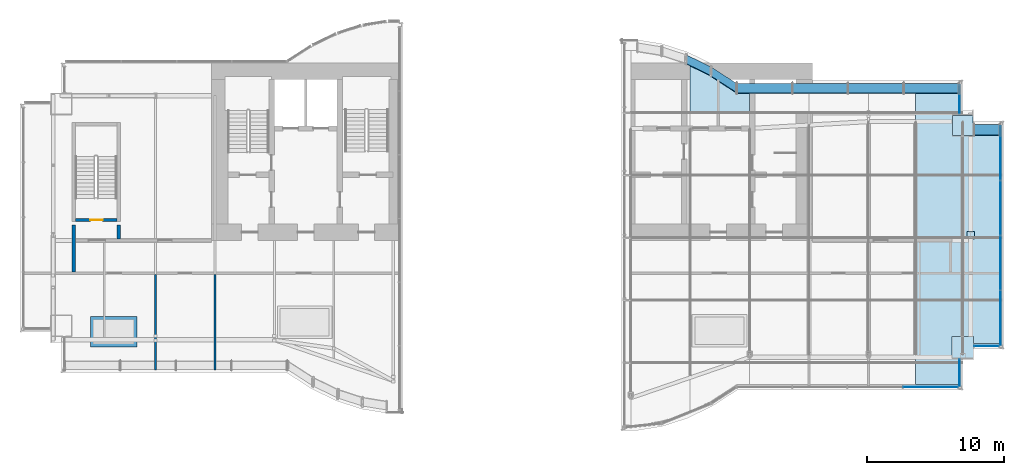
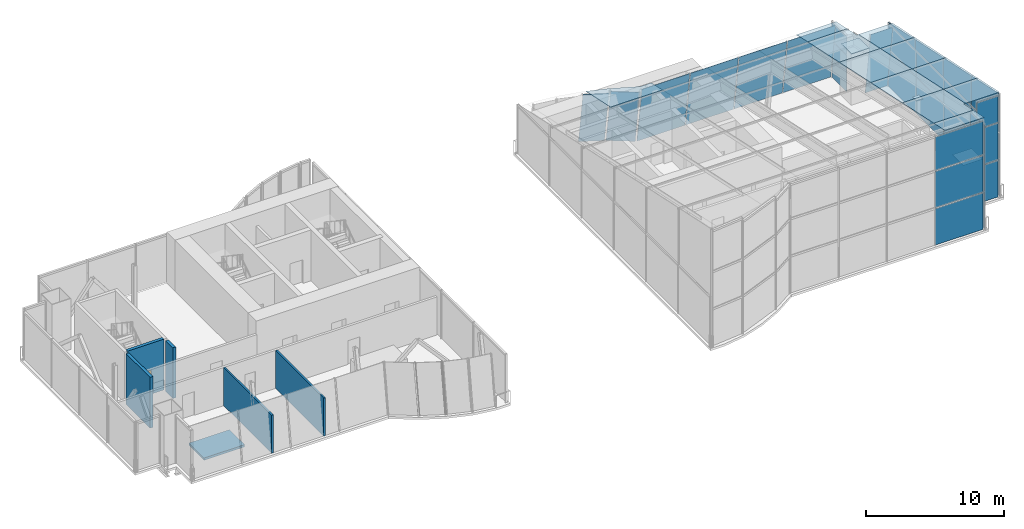
# One storey, part 12 of 17: 44 plates, 6 walls, 1 door, 1 opening, 14 elements without a shape of their own.
"""IFC4 building model written with IfcOpenShell, lengths in metres."""

from ifc_helpers import new_model, si_unit, direction, frame, frame_2d, origin, origin_2d, place, context, subcontext, project, spatial, polyline, rectangle, outline, extrude, material, layer, layer_set, type_object, element, fill, aggregate, save


model = new_model("IFC4")

# Units and contexts
model_context = context("Model", 3, precision=1e-05, world=origin(), true_north=direction((0.0, 1.0)))
body_context = subcontext(model_context, "Body", "Model", "MODEL_VIEW")
ifc_project = project(units=[si_unit("LENGTHUNIT", "METRE"), si_unit("AREAUNIT", "SQUARE_METRE"), si_unit("VOLUMEUNIT", "CUBIC_METRE"), si_unit("PLANEANGLEUNIT", "RADIAN"), si_unit("MASSUNIT", "GRAM", prefix="KILO")], contexts=[model_context])

# Site, building, storey
site_placement = place(None, origin())
site = spatial("IfcSite", under=ifc_project, at=site_placement, CompositionType="ELEMENT")
building_placement = place(site_placement, origin())
building = spatial("IfcBuilding", under=site, at=building_placement, Name="Bicima Exchange Tower", CompositionType="ELEMENT")
storey_placement = place(building_placement, frame((0.0, 0.0, 356.89990234375)))
storey = spatial("IfcBuildingStorey", under=building, at=storey_placement, Name="L80", CompositionType="ELEMENT", Elevation=356.89990234375)

# Plate
ifc_material_1 = material(Name="Steel ASTM A572 Gr 50", Category="steel")
ifc_layer_1 = layer(ifc_material_1, 0.050048828125)
ifc_layer_set_1 = layer_set([ifc_layer_1], Name="Steel ASTM A572 Gr 50")
plate_type_1 = type_object("IfcPlateType", Name="Column head plate 50", PredefinedType="SHEET", material=ifc_layer_set_1)
plate_1_placement = place(storey_placement, frame((33.60009765625, -12.60009765625, 4.5), z_axis=(0.0, 0.0, 1.0), x_axis=(1.0, 0.0, 0.0)))
element("IfcPlate", 1, at=plate_1_placement, inside=storey, type_object=plate_type_1, Name="Column head plate end+33.6e", PredefinedType="SHEET", context=body_context, shape_type="SweptSolid", body=[
    extrude(rectangle(XDim=0.552978515625, YDim=0.552978515625, at=origin_2d()), origin(), (0.0, 0.0, 1.0), 0.050048828125),
])

# Curtain wall, plates
ifc_material_2 = material(Name="Anodised bronze aluminium", Category="aluminium")
curtain_wall_type = type_object("IfcCurtainWallType", Name="Crown glass wall", PredefinedType="NOTDEFINED", material=ifc_material_2)
curtain_wall_1_placement = place(storey_placement, origin())
curtain_wall_1 = element("IfcCurtainWall", 2, at=curtain_wall_1_placement, inside=storey, type_object=curtain_wall_type, Name="Crown glass wall L80 run 1", PredefinedType="NOTDEFINED")
ifc_material_3 = material(Name="Bronze tinted glass", Category="glass")
ifc_layer_2 = layer(ifc_material_3, 0.035888671875)
ifc_layer_set_2 = layer_set([ifc_layer_2], Name="Bronze tinted glass")
plate_type_2 = type_object("IfcPlateType", Name="Crown glass wall glass panel 36", PredefinedType="CURTAIN_PANEL", material=ifc_layer_set_2)
plate_2_placement = place(storey_placement, frame((32.77001953125, -2.68310546875, 0.0), z_axis=(0.0, 0.0, 1.0), x_axis=(0.0, 1.0, 0.0)))
plate_2 = element("IfcPlate", 3, at=plate_2_placement, type_object=plate_type_2, Name="Crown glass wall panel 1.1", PredefinedType="CURTAIN_PANEL", context=body_context, shape_type="SweptSolid", body=[
    extrude(rectangle(XDim=2.076171875, YDim=0.035888671875, at=origin_2d()), origin(), (0.0, 0.0, 1.0), 3.219970703125),
])
plate_3_placement = place(storey_placement, frame((32.77001953125, -2.68310546875, 3.30029296875), z_axis=(0.0, 0.0, 1.0), x_axis=(0.0, 1.0, 0.0)))
plate_3 = element("IfcPlate", 4, at=plate_3_placement, type_object=plate_type_2, Name="Crown glass wall panel 1.2", PredefinedType="CURTAIN_PANEL", context=body_context, shape_type="SweptSolid", body=[
    extrude(rectangle(XDim=2.076171875, YDim=0.035888671875, at=origin_2d()), origin(), (0.0, 0.0, 1.0), 1.558349609375),
])
aggregate(curtain_wall_1, [plate_2, plate_3])

curtain_wall_2_placement = place(storey_placement, origin())
curtain_wall_2 = element("IfcCurtainWall", 5, at=curtain_wall_2_placement, inside=storey, type_object=curtain_wall_type, Name="Crown glass wall L80 run 12", PredefinedType="NOTDEFINED")
plate_4_placement = place(storey_placement, frame((30.62646484375, -23.714111328125, 0.0), z_axis=(0.0, 0.0, 1.0), x_axis=(1.0, 0.0, 0.0)))
plate_4 = element("IfcPlate", 6, at=plate_4_placement, type_object=plate_type_2, Name="Crown glass wall panel 4.1", PredefinedType="CURTAIN_PANEL", context=body_context, shape_type="SweptSolid", body=[
    extrude(rectangle(XDim=3.987060546875, YDim=0.035888671875, at=origin_2d()), origin(), (0.0, 0.0, 1.0), 3.219970703125),
])
plate_5_placement = place(storey_placement, frame((30.62646484375, -23.714111328125, 3.30029296875), z_axis=(0.0, 0.0, 1.0), x_axis=(1.0, 0.0, 0.0)))
plate_5 = element("IfcPlate", 7, at=plate_5_placement, type_object=plate_type_2, Name="Crown glass wall panel 4.2", PredefinedType="CURTAIN_PANEL", context=body_context, shape_type="SweptSolid", body=[
    extrude(rectangle(XDim=3.987060546875, YDim=0.035888671875, at=origin_2d()), origin(), (0.0, 0.0, 1.0), 3.219970703125),
])
plate_6_placement = place(storey_placement, frame((30.62646484375, -23.714111328125, 6.60009765625), z_axis=(0.0, 0.0, 1.0), x_axis=(1.0, 0.0, 0.0)))
plate_6 = element("IfcPlate", 8, at=plate_6_placement, type_object=plate_type_2, Name="Crown glass wall panel 4.3", PredefinedType="CURTAIN_PANEL", context=body_context, shape_type="SweptSolid", body=[
    extrude(rectangle(XDim=3.987060546875, YDim=0.035888671875, at=origin_2d()), origin(), (0.0, 0.0, 1.0), 2.962158203125),
])
aggregate(curtain_wall_2, [plate_4, plate_5, plate_6])

curtain_wall_3_placement = place(storey_placement, origin())
curtain_wall_3 = element("IfcCurtainWall", 9, at=curtain_wall_3_placement, inside=storey, type_object=curtain_wall_type, Name="Crown glass wall L80 run 13", PredefinedType="NOTDEFINED")
plate_7_placement = place(storey_placement, frame((32.77001953125, -22.66796875, 0.0), z_axis=(0.0, 0.0, 1.0), x_axis=(0.0, 1.0, 0.0)))
plate_7 = element("IfcPlate", 10, at=plate_7_placement, type_object=plate_type_2, Name="Crown glass wall panel 1.1", PredefinedType="CURTAIN_PANEL", context=body_context, shape_type="SweptSolid", body=[
    extrude(rectangle(XDim=1.971923828125, YDim=0.035888671875, at=origin_2d()), origin(), (0.0, 0.0, 1.0), 3.219970703125),
])
plate_8_placement = place(storey_placement, frame((32.77001953125, -22.66796875, 3.30029296875), z_axis=(0.0, 0.0, 1.0), x_axis=(0.0, 1.0, 0.0)))
plate_8 = element("IfcPlate", 11, at=plate_8_placement, type_object=plate_type_2, Name="Crown glass wall panel 1.2", PredefinedType="CURTAIN_PANEL", context=body_context, shape_type="SweptSolid", body=[
    extrude(rectangle(XDim=1.971923828125, YDim=0.035888671875, at=origin_2d()), origin(), (0.0, 0.0, 1.0), 3.219970703125),
])
plate_9_placement = place(storey_placement, frame((32.77001953125, -22.66796875, 6.60009765625), z_axis=(0.0, 0.0, 1.0), x_axis=(0.0, 1.0, 0.0)))
plate_9 = element("IfcPlate", 12, at=plate_9_placement, type_object=plate_type_2, Name="Crown glass wall panel 1.3", PredefinedType="CURTAIN_PANEL", context=body_context, shape_type="SweptSolid", body=[
    extrude(rectangle(XDim=1.971923828125, YDim=0.035888671875, at=origin_2d()), origin(), (0.0, 0.0, 1.0), 2.517333984375),
])
aggregate(curtain_wall_3, [plate_7, plate_8, plate_9])

curtain_wall_4_placement = place(storey_placement, origin())
curtain_wall_4 = element("IfcCurtainWall", 13, at=curtain_wall_4_placement, inside=storey, type_object=curtain_wall_type, Name="Crown glass wall L80 run 14", PredefinedType="NOTDEFINED")
plate_10_placement = place(storey_placement, frame((34.739990234375, -20.714111328125, 0.0), z_axis=(0.0, 0.0, 1.0), x_axis=(1.0, 0.0, 0.0)))
plate_10 = element("IfcPlate", 14, at=plate_10_placement, type_object=plate_type_2, Name="Crown glass wall panel 1.1", PredefinedType="CURTAIN_PANEL", context=body_context, shape_type="SweptSolid", body=[
    extrude(rectangle(XDim=1.760009765625, YDim=0.035888671875, at=origin_2d()), origin(), (0.0, 0.0, 1.0), 3.219970703125),
])
plate_11_placement = place(storey_placement, frame((34.739990234375, -20.714111328125, 3.30029296875), z_axis=(0.0, 0.0, 1.0), x_axis=(1.0, 0.0, 0.0)))
plate_11 = element("IfcPlate", 15, at=plate_11_placement, type_object=plate_type_2, Name="Crown glass wall panel 1.2", PredefinedType="CURTAIN_PANEL", context=body_context, shape_type="SweptSolid", body=[
    extrude(rectangle(XDim=1.760009765625, YDim=0.035888671875, at=origin_2d()), origin(), (0.0, 0.0, 1.0), 3.219970703125),
])
plate_12_placement = place(storey_placement, frame((34.739990234375, -20.714111328125, 6.60009765625), z_axis=(0.0, 0.0, 1.0), x_axis=(1.0, 0.0, 0.0)))
plate_12 = element("IfcPlate", 16, at=plate_12_placement, type_object=plate_type_2, Name="Crown glass wall panel 1.3", PredefinedType="CURTAIN_PANEL", context=body_context, shape_type="SweptSolid", body=[
    extrude(rectangle(XDim=1.760009765625, YDim=0.035888671875, at=origin_2d()), origin(), (0.0, 0.0, 1.0), 2.324462890625),
])
aggregate(curtain_wall_4, [plate_10, plate_11, plate_12])

curtain_wall_5_placement = place(storey_placement, origin())
curtain_wall_5 = element("IfcCurtainWall", 17, at=curtain_wall_5_placement, inside=storey, type_object=curtain_wall_type, Name="Crown glass wall L80 run 15", PredefinedType="NOTDEFINED")
plate_13_placement = place(storey_placement, frame((35.77001953125, -18.67529296875, 0.0), z_axis=(0.0, 0.0, 1.0), x_axis=(0.0, 1.0, 0.0)))
plate_13 = element("IfcPlate", 18, at=plate_13_placement, type_object=plate_type_2, Name="Crown glass wall panel 1.1", PredefinedType="CURTAIN_PANEL", context=body_context, shape_type="SweptSolid", body=[
    extrude(rectangle(XDim=3.957275390625, YDim=0.035888671875, at=origin_2d()), origin(), (0.0, 0.0, 1.0), 3.219970703125),
])
plate_14_placement = place(storey_placement, frame((35.77001953125, -18.67529296875, 3.30029296875), z_axis=(0.0, 0.0, 1.0), x_axis=(0.0, 1.0, 0.0)))
plate_14 = element("IfcPlate", 19, at=plate_14_placement, type_object=plate_type_2, Name="Crown glass wall panel 1.2", PredefinedType="CURTAIN_PANEL", context=body_context, shape_type="SweptSolid", body=[
    extrude(rectangle(XDim=3.957275390625, YDim=0.035888671875, at=origin_2d()), origin(), (0.0, 0.0, 1.0), 2.196044921875),
])
plate_15_placement = place(storey_placement, frame((35.77001953125, -14.658203125, 0.0), z_axis=(0.0, 0.0, 1.0), x_axis=(0.0, 1.0, 0.0)))
plate_15 = element("IfcPlate", 20, at=plate_15_placement, type_object=plate_type_2, Name="Crown glass wall panel 2.1", PredefinedType="CURTAIN_PANEL", context=body_context, shape_type="SweptSolid", body=[
    extrude(rectangle(XDim=3.957275390625, YDim=0.035888671875, at=origin_2d()), origin(), (0.0, 0.0, 1.0), 3.219970703125),
])
plate_16_placement = place(storey_placement, frame((35.77001953125, -14.658203125, 3.30029296875), z_axis=(0.0, 0.0, 1.0), x_axis=(0.0, 1.0, 0.0)))
plate_16 = element("IfcPlate", 21, at=plate_16_placement, type_object=plate_type_2, Name="Crown glass wall panel 2.2", PredefinedType="CURTAIN_PANEL", context=body_context, shape_type="SweptSolid", body=[
    extrude(rectangle(XDim=3.957275390625, YDim=0.035888671875, at=origin_2d()), origin(), (0.0, 0.0, 1.0), 2.196044921875),
])
plate_17_placement = place(storey_placement, frame((35.77001953125, -10.640869140625, 0.0), z_axis=(0.0, 0.0, 1.0), x_axis=(0.0, 1.0, 0.0)))
plate_17 = element("IfcPlate", 22, at=plate_17_placement, type_object=plate_type_2, Name="Crown glass wall panel 3.1", PredefinedType="CURTAIN_PANEL", context=body_context, shape_type="SweptSolid", body=[
    extrude(rectangle(XDim=3.957275390625, YDim=0.035888671875, at=origin_2d()), origin(), (0.0, 0.0, 1.0), 3.219970703125),
])
plate_18_placement = place(storey_placement, frame((35.77001953125, -10.640869140625, 3.30029296875), z_axis=(0.0, 0.0, 1.0), x_axis=(0.0, 1.0, 0.0)))
plate_18 = element("IfcPlate", 23, at=plate_18_placement, type_object=plate_type_2, Name="Crown glass wall panel 3.2", PredefinedType="CURTAIN_PANEL", context=body_context, shape_type="SweptSolid", body=[
    extrude(rectangle(XDim=3.957275390625, YDim=0.035888671875, at=origin_2d()), origin(), (0.0, 0.0, 1.0), 2.196044921875),
])
plate_19_placement = place(storey_placement, frame((35.77001953125, -6.62353515625, 0.0), z_axis=(0.0, 0.0, 1.0), x_axis=(0.0, 1.0, 0.0)))
plate_19 = element("IfcPlate", 24, at=plate_19_placement, type_object=plate_type_2, Name="Crown glass wall panel 4.1", PredefinedType="CURTAIN_PANEL", context=body_context, shape_type="SweptSolid", body=[
    extrude(rectangle(XDim=3.957275390625, YDim=0.035888671875, at=origin_2d()), origin(), (0.0, 0.0, 1.0), 3.219970703125),
])
plate_20_placement = place(storey_placement, frame((35.77001953125, -6.62353515625, 3.30029296875), z_axis=(0.0, 0.0, 1.0), x_axis=(0.0, 1.0, 0.0)))
plate_20 = element("IfcPlate", 25, at=plate_20_placement, type_object=plate_type_2, Name="Crown glass wall panel 4.2", PredefinedType="CURTAIN_PANEL", context=body_context, shape_type="SweptSolid", body=[
    extrude(rectangle(XDim=3.957275390625, YDim=0.035888671875, at=origin_2d()), origin(), (0.0, 0.0, 1.0), 2.196044921875),
])
aggregate(curtain_wall_5, [plate_13, plate_14, plate_15, plate_16, plate_17, plate_18, plate_19, plate_20])

curtain_wall_6_placement = place(storey_placement, origin())
curtain_wall_6 = element("IfcCurtainWall", 26, at=curtain_wall_6_placement, inside=storey, type_object=curtain_wall_type, Name="Crown tilted glass L80 2.1", PredefinedType="NOTDEFINED")
plate_21_placement = place(storey_placement, frame((32.7099609375, -1.494873046875, 0.0), z_axis=(0.0, 0.990268036838, 0.139173327963), x_axis=(-1.0, 0.0, 0.0)))
plate_21 = element("IfcPlate", 27, at=plate_21_placement, type_object=plate_type_2, Name="Crown tilted glass panel 1", PredefinedType="CURTAIN_PANEL", context=body_context, shape_type="SweptSolid", body=[
    extrude(outline(polyline([(0.0, 0.0), (4.009521484375, 0.0), (4.009521484375, 5.048644945374386), (0.0, 5.048644945374386), (0.0, 0.0)])), origin(), (0.0, 0.0, -1.0), 0.035888671875),
])
plate_22_placement = place(storey_placement, frame((28.640380859375, -1.494873046875, 0.0), z_axis=(0.0, 0.990268036838, 0.139173327963), x_axis=(-1.0, 0.0, 0.0)))
plate_22 = element("IfcPlate", 28, at=plate_22_placement, type_object=plate_type_2, Name="Crown tilted glass panel 2", PredefinedType="CURTAIN_PANEL", context=body_context, shape_type="SweptSolid", body=[
    extrude(outline(polyline([(0.0, 0.0), (4.00927734375, 0.0), (4.00927734375, 5.048644945374386), (0.0, 5.048644945374386), (0.0, 0.0)])), origin(), (0.0, 0.0, -1.0), 0.035888671875),
])
plate_23_placement = place(storey_placement, frame((24.571044921875, -1.494873046875, 0.0), z_axis=(0.0, 0.990268036838, 0.139173327963), x_axis=(-1.0, 0.0, 0.0)))
plate_23 = element("IfcPlate", 29, at=plate_23_placement, type_object=plate_type_2, Name="Crown tilted glass panel 3", PredefinedType="CURTAIN_PANEL", context=body_context, shape_type="SweptSolid", body=[
    extrude(outline(polyline([(0.0, 0.0), (4.009521484375, 0.0), (4.009521484375, 5.048644945374386), (0.0, 5.048644945374386), (0.0, 0.0)])), origin(), (0.0, 0.0, -1.0), 0.035888671875),
])
plate_24_placement = place(storey_placement, frame((20.501708984375, -1.494873046875, 0.0), z_axis=(0.0, 0.990268036838, 0.139173327963), x_axis=(-1.0, 0.0, 0.0)))
plate_24 = element("IfcPlate", 30, at=plate_24_placement, type_object=plate_type_2, Name="Crown tilted glass panel 4", PredefinedType="CURTAIN_PANEL", context=body_context, shape_type="SweptSolid", body=[
    extrude(outline(polyline([(0.0, 0.0), (4.009521484375, 0.0), (4.009521484375, 5.048644945374386), (0.0, 5.048644945374386), (0.0, 0.0)])), origin(), (0.0, 0.0, -1.0), 0.035888671875),
])
aggregate(curtain_wall_6, [plate_21, plate_22, plate_23, plate_24])

# Curtain wall, plate
curtain_wall_7_placement = place(storey_placement, origin())
curtain_wall_7 = element("IfcCurtainWall", 31, at=curtain_wall_7_placement, inside=storey, type_object=curtain_wall_type, Name="Crown tilted glass L80 3.1", PredefinedType="NOTDEFINED")
plate_25_placement = place(storey_placement, frame((16.381591796875, -1.46240234375, 0.0), z_axis=(0.539204706686, 0.833977582449, 0.117216365154), x_axis=(-0.839766235335, 0.54294812824, -5.637241e-06)))
plate_25 = element("IfcPlate", 32, at=plate_25_placement, type_object=plate_type_2, Name="Crown tilted glass panel 1", PredefinedType="CURTAIN_PANEL", context=body_context, shape_type="SweptSolid", body=[
    extrude(outline(polyline([(0.0, 0.0), (2.1168305046945437, 1.3877787807814457e-17), (1.7549267289827315, 4.774131780510215), (-0.36177122001644124, 4.774107749429635), (0.0, 0.0)])), origin(), (0.0, 0.0, -1.0), 0.035888671875),
])
aggregate(curtain_wall_7, [plate_25])

curtain_wall_8_placement = place(storey_placement, origin())
curtain_wall_8 = element("IfcCurtainWall", 33, at=curtain_wall_8_placement, inside=storey, type_object=curtain_wall_type, Name="Crown tilted glass L80 4.1", PredefinedType="NOTDEFINED")
plate_26_placement = place(storey_placement, frame((14.499755859375, -0.25439453125, 0.0), z_axis=(0.432817360268, 0.89270986522, 0.125452099186), x_axis=(-0.899818722999, 0.436263986298, 0.0)))
plate_26 = element("IfcPlate", 34, at=plate_26_placement, type_object=plate_type_2, Name="Crown tilted glass panel 1", PredefinedType="CURTAIN_PANEL", context=body_context, shape_type="SweptSolid", body=[
    extrude(outline(polyline([(0.0, 0.0), (1.8875872269742504, 0.0), (1.6083186302766448, 4.5914497130728895), (-0.2792685966976054, 4.5914497130728895), (0.0, 0.0)])), origin(), (0.0, 0.0, -1.0), 0.035888671875),
])
aggregate(curtain_wall_8, [plate_26])

curtain_wall_9_placement = place(storey_placement, origin())
curtain_wall_9 = element("IfcCurtainWall", 35, at=curtain_wall_9_placement, inside=storey, type_object=curtain_wall_type, Name="Crown tilted glass L80 18.1", PredefinedType="NOTDEFINED")
plate_27_placement = place(storey_placement, frame((35.7099609375, -4.494873046875, 0.0), z_axis=(0.0, 0.990268588125, 0.139169405304), x_axis=(-1.0, 0.0, 0.0)))
plate_27 = element("IfcPlate", 36, at=plate_27_placement, type_object=plate_type_2, Name="Crown tilted glass panel 1", PredefinedType="CURTAIN_PANEL", context=body_context, shape_type="SweptSolid", body=[
    extrude(outline(polyline([(0.0, 0.0), (1.849853515625, 0.0), (1.849853515625, 5.692604106450353), (0.0, 5.692604106450353), (0.0, 0.0)])), origin(), (0.0, 0.0, -1.0), 0.035888671875),
])
aggregate(curtain_wall_9, [plate_27])

# Curtain wall, plates
curtain_wall_10_placement = place(storey_placement, origin())
curtain_wall_10 = element("IfcCurtainWall", 37, at=curtain_wall_10_placement, inside=storey, type_object=curtain_wall_type, Name="Gable glazing east 17", PredefinedType="NOTDEFINED")
plate_28_placement = place(storey_placement, frame((35.77001953125, -20.654052734375, 5.63720703125), z_axis=(1.0, 0.0, 0.0), x_axis=(0.0, 1.0, 0.0)))
plate_28 = element("IfcPlate", 38, at=plate_28_placement, type_object=plate_type_2, Name="Gable glazing panel 1", PredefinedType="CURTAIN_PANEL", context=body_context, shape_type="SweptSolid", body=[
    extrude(outline(polyline([(0.0, 0.0), (3.979736328125, 0.0), (3.979736328125, 2.588623046875), (0.0, 3.4345703125), (0.0, 0.0)])), origin(), (0.0, 0.0, -1.0), 0.035888671875),
])
plate_29_placement = place(storey_placement, frame((35.77001953125, -16.6142578125, 5.63720703125), z_axis=(1.0, 0.0, 0.0), x_axis=(0.0, 1.0, 0.0)))
plate_29 = element("IfcPlate", 39, at=plate_29_placement, type_object=plate_type_2, Name="Gable glazing panel 2", PredefinedType="CURTAIN_PANEL", context=body_context, shape_type="SweptSolid", body=[
    extrude(outline(polyline([(0.0, 0.0), (3.979736328125, 0.0), (3.979736328125, 1.72998046875), (0.0, 2.575927734375), (0.0, 0.0)])), origin(), (0.0, 0.0, -1.0), 0.035888671875),
])
plate_30_placement = place(storey_placement, frame((35.77001953125, -12.574462890625, 5.63720703125), z_axis=(1.0, 0.0, 0.0), x_axis=(0.0, 1.0, 0.0)))
plate_30 = element("IfcPlate", 40, at=plate_30_placement, type_object=plate_type_2, Name="Gable glazing panel 3", PredefinedType="CURTAIN_PANEL", context=body_context, shape_type="SweptSolid", body=[
    extrude(outline(polyline([(0.0, 0.0), (3.979736328125, 0.0), (3.979736328125, 0.871337890625), (0.0, 1.71728515625), (0.0, 0.0)])), origin(), (0.0, 0.0, -1.0), 0.035888671875),
])
plate_31_placement = place(storey_placement, frame((35.77001953125, -8.53466796875, 5.63720703125), z_axis=(1.0, 0.0, 0.0), x_axis=(0.0, 1.0, 0.0)))
plate_31 = element("IfcPlate", 41, at=plate_31_placement, type_object=plate_type_2, Name="Gable glazing panel 4", PredefinedType="CURTAIN_PANEL", context=body_context, shape_type="SweptSolid", body=[
    extrude(outline(polyline([(0.0, 0.0), (3.979736328125, 0.0), (0.0, 0.8583984375), (0.0, 0.0)])), origin(), (0.0, 0.0, -1.0), 0.035888671875),
])
aggregate(curtain_wall_10, [plate_28, plate_29, plate_30, plate_31])

# Curtain wall, plate
curtain_wall_11_placement = place(storey_placement, origin())
curtain_wall_11 = element("IfcCurtainWall", 42, at=curtain_wall_11_placement, inside=storey, type_object=curtain_wall_type, Name="Roof edge glazing east 3.6", PredefinedType="NOTDEFINED")
ifc_material_4 = material(Name="Bronze tinted safety glass, interlayer bonded", Category="glass")
ifc_layer_3 = layer(ifc_material_4, 0.0439453125)
ifc_layer_set_3 = layer_set([ifc_layer_3], Name="Bronze tinted safety glass, interlayer bonded")
plate_type_3 = type_object("IfcPlateType", Name="Glass roof panel 44", PredefinedType="CURTAIN_PANEL", material=ifc_layer_set_3)
plate_32_placement = place(storey_placement, frame((14.593017578125, -0.843017578125, 4.90576171875), z_axis=(-2.892078e-06, 0.207901303337, 0.978149808599), x_axis=(0.834232143288, -0.539364404221, 0.114641923241)))
plate_32 = element("IfcPlate", 43, at=plate_32_placement, type_object=plate_type_3, Name="Glass roof panel east 3.6", PredefinedType="CURTAIN_PANEL", context=body_context, shape_type="SweptSolid", body=[
    extrude(outline(polyline([(0.0, 0.0), (2.2329431730443425, -2.220446049250313e-16), (3.020534896211905, 0.5205848619746447), (3.927232012312134, -0.8511552641489342), (0.2984443909838508, -3.249722754658954), (-1.7088846611677644, -0.21283892915602912), (0.0, 0.0)])), origin(), (0.0, 0.0, -1.0), 0.0439453125),
])
aggregate(curtain_wall_11, [plate_32])

curtain_wall_12_placement = place(storey_placement, origin())
curtain_wall_12 = element("IfcCurtainWall", 44, at=curtain_wall_12_placement, inside=storey, type_object=curtain_wall_type, Name="Roof glazing east", PredefinedType="NOTDEFINED")
plate_33_placement = place(storey_placement, frame((32.85009765625, -23.550048828125, 9.732177734375), z_axis=(0.0, 0.207835674253, 0.978163755466), x_axis=(-1.0, 0.0, 0.0)))
plate_33 = element("IfcPlate", 45, at=plate_33_placement, type_object=plate_type_3, Name="Glass roof panel east 7.1", PredefinedType="CURTAIN_PANEL", context=body_context, shape_type="SweptSolid", body=[
    extrude(outline(polyline([(0.0, 0.0), (3.300048828125, 0.0), (3.300048828125, -1.6445534493948235), (0.0, -1.6445534493948235), (0.0, 0.0)])), origin(), (0.0, 0.0, -1.0), 0.0439453125),
])

curtain_wall_13_placement = place(storey_placement, origin())
curtain_wall_13 = element("IfcCurtainWall", 46, at=curtain_wall_13_placement, inside=storey, type_object=curtain_wall_type, Name="Roof edge glazing east 7.2", PredefinedType="NOTDEFINED")
plate_34_placement = place(storey_placement, frame((32.85009765625, -20.550048828125, 9.0947265625), z_axis=(-1.3591941e-05, 0.207917089011, 0.978146453202), x_axis=(-8.96e-10, -0.978146453293, 0.207917089031)))
plate_34 = element("IfcPlate", 47, at=plate_34_placement, type_object=plate_type_3, Name="Glass roof panel east 7.2", PredefinedType="CURTAIN_PANEL", context=body_context, shape_type="SweptSolid", body=[
    extrude(outline(polyline([(0.0, 0.0), (1.4224229082351119, 0.0), (1.4224229111924267, -3.300048827820173), (-3.250996084362714, -3.3000488319528376), (-3.2509960874543626, 0.14990233960348912), (-1.3433389778824624e-10, 0.14990234373615346), (0.0, 0.0)])), origin(), (0.0, 0.0, -1.0), 0.0439453125),
])
aggregate(curtain_wall_13, [plate_34])

# Plate
plate_35_placement = place(storey_placement, frame((29.550048828125, -17.3701171875, 8.418701171875), z_axis=(0.0, 0.207905612443, 0.978148892712), x_axis=(0.0, 0.978148892712, -0.207905612443)))
plate_35 = element("IfcPlate", 48, at=plate_35_placement, type_object=plate_type_3, Name="Glass roof panel east 7.3", PredefinedType="CURTAIN_PANEL", context=body_context, shape_type="SweptSolid", body=[
    extrude(outline(polyline([(0.0, 0.0), (4.673657801163284, 0.0), (4.673657801163284, -3.449951171875), (0.0, -3.449951171875), (0.0, 0.0)])), origin(), (0.0, 0.0, -1.0), 0.0439453125),
])

plate_36_placement = place(storey_placement, frame((29.550048828125, -12.798583984375, 7.447021484375), z_axis=(0.0, 0.207916236148, 0.978146634583), x_axis=(0.0, 0.978146634583, -0.207916236148)))
plate_36 = element("IfcPlate", 49, at=plate_36_placement, type_object=plate_type_3, Name="Glass roof panel east 7.4", PredefinedType="CURTAIN_PANEL", context=body_context, shape_type="SweptSolid", body=[
    extrude(outline(polyline([(0.0, 0.0), (4.673418995556918, 0.0), (4.673418995556918, -3.449951171875), (0.0, -3.449951171875), (0.0, 0.0)])), origin(), (0.0, 0.0, -1.0), 0.0439453125),
])

# Curtain wall, plate
curtain_wall_14_placement = place(storey_placement, origin())
curtain_wall_14 = element("IfcCurtainWall", 50, at=curtain_wall_14_placement, inside=storey, type_object=curtain_wall_type, Name="Roof edge glazing east 7.5", PredefinedType="NOTDEFINED")
plate_37_placement = place(storey_placement, frame((32.85009765625, -5.04736328125, 5.799560546875), z_axis=(-1.6296043e-05, 0.207904589903, 0.978149109917), x_axis=(0.999999999867, 3.388022e-06, 1.593996e-05)))
plate_37 = element("IfcPlate", 51, at=plate_37_placement, type_object=plate_type_3, Name="Glass roof panel east 7.5", PredefinedType="CURTAIN_PANEL", context=body_context, shape_type="SweptSolid", body=[
    extrude(outline(polyline([(0.0, 0.0), (0.1499023437300959, 0.0), (0.14990234197736718, -3.250945327951762), (-3.3000488294395467, -3.250945327951762), (-3.3000488295191635, 1.4227124732089689), (-1.8323451394635978e-09, 1.4227124732089689), (0.0, 0.0)])), origin(), (0.0, 0.0, -1.0), 0.0439453125),
])
aggregate(curtain_wall_14, [plate_37])

# Plate
plate_38_placement = place(storey_placement, frame((32.85009765625, -2.04736328125, 5.161865234375), z_axis=(0.0, 0.207865858849, 0.978157341497), x_axis=(0.0, -0.978157341497, 0.207865858849)))
plate_38 = element("IfcPlate", 52, at=plate_38_placement, type_object=plate_type_3, Name="Glass roof panel east 7.6", PredefinedType="CURTAIN_PANEL", context=body_context, shape_type="SweptSolid", body=[
    extrude(outline(polyline([(0.0, 0.0), (1.64431464066711, 0.0), (1.64431464066711, -3.300048828125), (0.0, -3.300048828125), (0.0, 0.0)])), origin(), (0.0, 0.0, -1.0), 0.0439453125),
])

plate_39_placement = place(storey_placement, frame((33.0, -20.550048828125, 9.0947265625), z_axis=(0.0, 0.207944079971, 0.978140715646), x_axis=(0.0, 0.978140715646, -0.207944079971)))
plate_39 = element("IfcPlate", 53, at=plate_39_placement, type_object=plate_type_3, Name="Glass roof panel east 8.2", PredefinedType="CURTAIN_PANEL", context=body_context, shape_type="SweptSolid", body=[
    extrude(outline(polyline([(0.0, 0.0), (3.2509960885577347, 0.0), (3.2509960885577347, -2.85009765625), (0.0, -2.85009765625), (0.0, 0.0)])), origin(), (0.0, 0.0, -1.0), 0.0439453125),
])

plate_40_placement = place(storey_placement, frame((35.85009765625, -17.3701171875, 8.418701171875), z_axis=(0.0, 0.207905612443, 0.978148892712), x_axis=(-1.0, 0.0, 0.0)))
plate_40 = element("IfcPlate", 54, at=plate_40_placement, type_object=plate_type_3, Name="Glass roof panel east 8.3", PredefinedType="CURTAIN_PANEL", context=body_context, shape_type="SweptSolid", body=[
    extrude(outline(polyline([(0.0, 0.0), (2.85009765625, 0.0), (2.85009765625, -4.673657801163284), (0.0, -4.673657801163284), (0.0, 0.0)])), origin(), (0.0, 0.0, -1.0), 0.0439453125),
])

plate_41_placement = place(storey_placement, frame((35.85009765625, -12.798583984375, 7.447021484375), z_axis=(0.0, 0.207916236148, 0.978146634583), x_axis=(-1.0, 0.0, 0.0)))
plate_41 = element("IfcPlate", 55, at=plate_41_placement, type_object=plate_type_3, Name="Glass roof panel east 8.4", PredefinedType="CURTAIN_PANEL", context=body_context, shape_type="SweptSolid", body=[
    extrude(outline(polyline([(0.0, 0.0), (2.85009765625, 0.0), (2.85009765625, -4.673418995556918), (0.0, -4.673418995556918), (0.0, 0.0)])), origin(), (0.0, 0.0, -1.0), 0.0439453125),
])

plate_42_placement = place(storey_placement, frame((35.85009765625, -8.227294921875, 6.475341796875), z_axis=(0.0, 0.20787222837, 0.978155987904), x_axis=(-1.0, 0.0, 0.0)))
plate_42 = element("IfcPlate", 56, at=plate_42_placement, type_object=plate_type_3, Name="Glass roof panel east 8.5", PredefinedType="CURTAIN_PANEL", context=body_context, shape_type="SweptSolid", body=[
    extrude(outline(polyline([(0.0, 0.0), (2.85009765625, 0.0), (2.85009765625, -3.2509453297309645), (0.0, -3.2509453297309645), (0.0, 0.0)])), origin(), (0.0, 0.0, -1.0), 0.0439453125),
])

aggregate(curtain_wall_12, [plate_33, plate_35, plate_36, plate_38, plate_39, plate_40, plate_41, plate_42])

# Plates
ifc_layer_4 = layer(ifc_material_1, 0.0400390625)
ifc_layer_set_4 = layer_set([ifc_layer_4], Name="Steel ASTM A572 Gr 50")
plate_type_4 = type_object("IfcPlateType", Name="Mega column cap plate 40", PredefinedType="SHEET", material=ifc_layer_set_4)
plate_43_placement = place(storey_placement, frame((33.0, -4.5810546875, 4.4599609375), z_axis=(0.0, 0.0, 1.0), x_axis=(1.0, 0.0, 0.0)))
element("IfcPlate", 57, at=plate_43_placement, inside=storey, type_object=plate_type_4, Name="Mega column cap mega+33.0r", PredefinedType="SHEET", context=body_context, shape_type="SweptSolid", body=[
    extrude(rectangle(XDim=1.5, YDim=1.5, at=origin_2d()), origin(), (0.0, 0.0, 1.0), 0.0400390625),
])
ifc_layer_5 = layer(ifc_material_1, 0.01611328125)
ifc_layer_set_5 = layer_set([ifc_layer_5], Name="Steel ASTM A572 Gr 50")
plate_type_5 = type_object("IfcPlateType", Name="Mega column head plate 16", PredefinedType="SHEET", material=ifc_layer_set_5)
plate_44_placement = place(storey_placement, frame((33.0, -20.822021484375, 4.5), z_axis=(0.0, 0.0, 1.0), x_axis=(1.0, 0.0, 0.0)))
element("IfcPlate", 58, at=plate_44_placement, inside=storey, type_object=plate_type_5, Name="Mega column cap mega+33.0f", PredefinedType="SHEET", context=body_context, shape_type="SweptSolid", body=[
    extrude(rectangle(XDim=1.60009765625, YDim=1.60009765625, at=origin_2d()), origin(), (0.0, 0.0, 1.0), 0.01611328125),
])

# Walls
ifc_material_5 = material(Name="Gypsum board partition")
ifc_layer_6 = layer(ifc_material_5, 0.14990234375)
ifc_layer_set_6 = layer_set([ifc_layer_6], Name="Gypsum board partition")
wall_type_1 = type_object("IfcWallType", Name="Gypsum partition 150", PredefinedType="PARTITIONING", material=ifc_layer_set_6)
for number, where, z_axis, x_axis, name in (
    (59, (-26.10009765625, -22.469970703125, 0.0), (0.0, 0.0, 1.0), (0.0, 1.0, 0.0), "partition wall 9"),
    (60, (-21.75, -22.469970703125, 0.0), (0.0, 0.0, 1.0), (0.0, 1.0, 0.0), "partition wall 10"),
):
    element("IfcWall", number, at=place(storey_placement, frame(where, z_axis=z_axis, x_axis=x_axis)), inside=storey, type_object=wall_type_1, Name=name, PredefinedType="PARTITIONING", context=body_context, shape_type="SweptSolid", body=[
        extrude(rectangle(XDim=6.969970703125, YDim=0.14990234375, at=frame_2d((3.48486328125, 0.0))), origin(), (0.0, 0.0, 1.0), 3.368408203125),
    ])
ifc_material_6 = material(Name="Concrete C40/50", Category="concrete")
ifc_layer_7 = layer(ifc_material_6, 0.2)
ifc_layer_set_7 = layer_set([ifc_layer_7], Name="Concrete C40/50")
wall_type_2 = type_object("IfcWallType", Name="Plant plinth 200", PredefinedType="USERDEFINED", material=ifc_layer_set_7)
wall_1_placement = place(storey_placement, frame((-29.159912109375, -19.679931640625, 0.0), z_axis=(0.0, 0.0, 1.0), x_axis=(1.0, 0.0, 0.0)))
element("IfcWall", 61, at=wall_1_placement, inside=storey, type_object=wall_type_2, Name="Plant plinth Pump set", ObjectType="PLINTH", PredefinedType="USERDEFINED", context=body_context, shape_type="SweptSolid", body=[
    extrude(rectangle(XDim=3.39990234375, YDim=2.199951171875, at=origin_2d()), origin(), (0.0, 0.0, 1.0), 0.199951171875),
])
ifc_material_7 = material(Name="Concrete C50/60", Category="concrete")
ifc_layer_8 = layer(ifc_material_7, 0.25)
ifc_layer_set_8 = layer_set([ifc_layer_8], Name="Concrete C50/60")
wall_type_3 = type_object("IfcWallType", Name="RC core wall 250 C50/60", PredefinedType="SHEAR", material=ifc_layer_set_8)
wall_2_placement = place(storey_placement, frame((-32.10009765625, -15.300048828125, 0.0), z_axis=(0.0, 0.0, 1.0), x_axis=(0.0, 1.0, 0.0)))
element("IfcWall", 62, at=wall_2_placement, inside=storey, type_object=wall_type_3, Name="stair wall 7", PredefinedType="SHEAR", context=body_context, shape_type="SweptSolid", body=[
    extrude(rectangle(XDim=3.449951171875, YDim=0.25, at=frame_2d((1.72509765625, 0.0))), origin(), (0.0, 0.0, 1.0), 4.5),
])
wall_3_placement = place(storey_placement, frame((-28.800048828125, -12.89990234375, 0.0), z_axis=(0.0, 0.0, 1.0), x_axis=(0.0, 1.0, 0.0)))
element("IfcWall", 63, at=wall_3_placement, inside=storey, type_object=wall_type_3, Name="stair wall 8", PredefinedType="SHEAR", context=body_context, shape_type="SweptSolid", body=[
    extrude(rectangle(XDim=1.0498046875, YDim=0.25, at=frame_2d((0.52490234375, 0.0))), origin(), (0.0, 0.0, 1.0), 4.5),
])

# Wall, opening, door
ifc_layer_9 = layer(ifc_material_7, 0.25)
ifc_layer_set_9 = layer_set([ifc_layer_9], Name="Concrete C50/60")
wall_type_4 = type_object("IfcWallType", Name="RC stair enclosure wall 250 C50/60", PredefinedType="SHEAR", material=ifc_layer_set_9)
wall_4_placement = place(storey_placement, frame((-31.97509765625, -11.5, 0.0), z_axis=(0.0, 0.0, 1.0), x_axis=(1.0, 0.0, 0.0)))
wall_4 = element("IfcWall", 64, at=wall_4_placement, inside=storey, type_object=wall_type_4, Name="West end exit stair wall S", PredefinedType="SHEAR", context=body_context, shape_type="SweptSolid", body=[
    extrude(rectangle(XDim=3.050048828125, YDim=0.25, at=frame_2d((1.52490234375, 0.0))), origin(), (0.0, 0.0, 1.0), 4.5),
])
opening_placement = place(wall_4_placement, frame((1.10009765625, 0.0, 0.0)))
opening = element("IfcOpeningElement", 65, at=opening_placement, cuts=wall_4, Name="Opening L80-002", PredefinedType="OPENING", context=body_context, shape_type="SweptSolid", body=[
    extrude(rectangle(XDim=0.89990234375, YDim=2.10009765625, at=frame_2d((0.449951171875, 1.050048828125))), frame((0.0, 0.136962890625, 0.0), z_axis=(0.0, -1.0, 0.0), x_axis=(1.0, 0.0, 0.0)), (0.0, 0.0, 1.0), 0.27392578125),
])
ifc_material_8 = material(Name="Steel fire door leaf", Category="steel")
door_type = type_object("IfcDoorType", Name="Door 900 swing FD60S", OperationType="SINGLE_SWING_LEFT", PredefinedType="DOOR", material=ifc_material_8)
door_placement = place(opening_placement, origin())
door = element("IfcDoor", 66, at=door_placement, inside=storey, type_object=door_type, Name="Door", OperationType="SINGLE_SWING_LEFT", OverallHeight=2.10009765625, OverallWidth=0.89990234375, PredefinedType="DOOR", context=body_context, shape_type="SweptSolid", body=[
    extrude(rectangle(XDim=0.89990234375, YDim=2.10009765625, at=frame_2d((0.449951171875, 1.050048828125))), frame((0.0, 0.02490234375, 0.0), z_axis=(0.0, -1.0, 0.0), x_axis=(1.0, 0.0, 0.0)), (0.0, 0.0, 1.0), 0.050048828125),
])
fill(opening, door)

save(model, "model.ifc")
